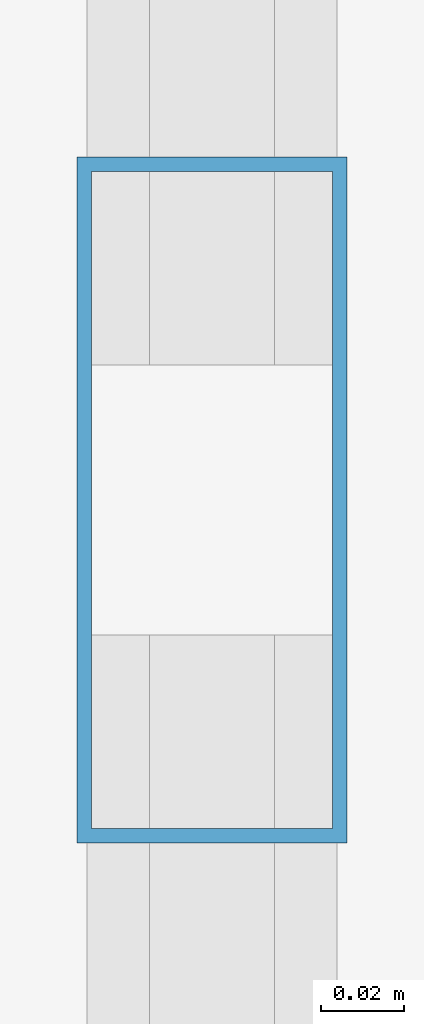
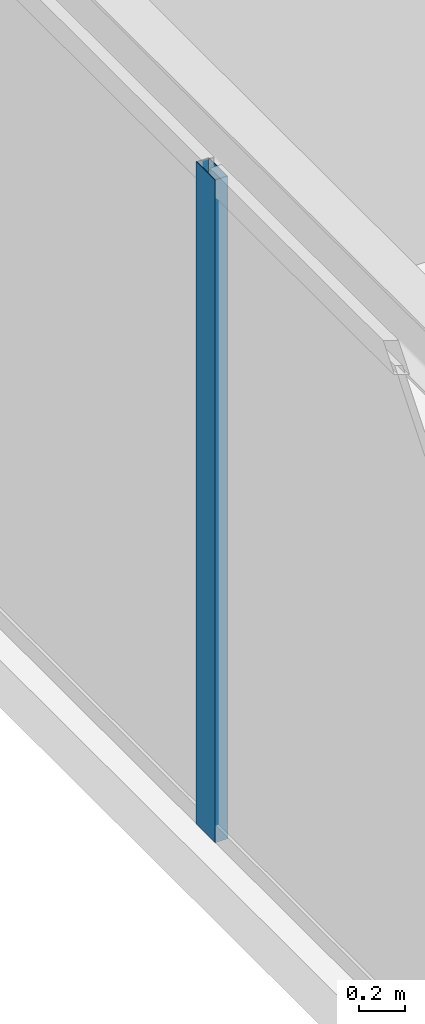
# One storey, part 9 of 21: 1 member, 1 element without a shape of its own.
"""IFC4 building model written with IfcOpenShell, lengths in metres."""

from ifc_helpers import new_model, si_unit, direction, frame, origin, origin_2d, place, context, subcontext, project, spatial, hollow_rectangle, extrude, source, transform, mapped, material, layer, layer_set, material_profile, profile_set, type_object, type_shapes, element, aggregate, save


model = new_model("IFC4")

# Units and contexts
model_context = context("Model", 3, precision=1e-05, world=origin(), true_north=direction((0.0, 1.0)))
body_context = subcontext(model_context, "Body", "Model", "MODEL_VIEW")
ifc_project = project(units=[si_unit("LENGTHUNIT", "METRE"), si_unit("AREAUNIT", "SQUARE_METRE"), si_unit("VOLUMEUNIT", "CUBIC_METRE"), si_unit("PLANEANGLEUNIT", "RADIAN"), si_unit("MASSUNIT", "GRAM", prefix="KILO")], contexts=[model_context])

# Site, building, storey
site_placement = place(None, origin())
site = spatial("IfcSite", under=ifc_project, at=site_placement, CompositionType="ELEMENT")
building_placement = place(site_placement, origin())
building = spatial("IfcBuilding", under=site, at=building_placement, Name="Varnel Quay Broadcast Tower", CompositionType="ELEMENT")
storey_placement = place(building_placement, frame((0.0, 0.0, 296.39990234375)))
storey = spatial("IfcBuildingStorey", under=building, at=storey_placement, Name="L74", CompositionType="ELEMENT", Elevation=296.39990234375)

# Curtain wall, member
ifc_material = material(Name="Anodised Bronze Aluminium 6063-T6", Category="aluminium")
ifc_layer = layer(ifc_material, 0.18994140625, Name="Anodised Bronze Aluminium 6063-T6")
ifc_layer_set = layer_set([ifc_layer], Name="Anodised Bronze Aluminium 6063-T6")
curtain_wall_type = type_object("IfcCurtainWallType", Name="CW_UpperTower", PredefinedType="NOTDEFINED", material=ifc_layer_set)
curtain_wall_placement = place(storey_placement, origin())
curtain_wall = element("IfcCurtainWall", 1, at=curtain_wall_placement, inside=storey, type_object=curtain_wall_type, Name="L74 West Unitised Curtain Wall", PredefinedType="NOTDEFINED")
ifc_material_profile = material_profile(ifc_material, hollow_rectangle(XDim=0.06494140625, YDim=0.1650390625, WallThickness=0.00341796875, at=origin_2d()), Name="ALU65X165X3.5")
ifc_profile_set = profile_set([ifc_material_profile], Name="Anodised Bronze Aluminium 6063-T6")
member_type = type_object("IfcMemberType", Name="Mull_CWS-03", PredefinedType="MULLION", material=ifc_profile_set)
shared_shape = source(origin(), body_context, "Body", "SweptSolid", [
    extrude(hollow_rectangle(XDim=0.06494140625, YDim=0.1650390625, WallThickness=0.00341796875, at=origin_2d()), origin(), (0.0, 0.0, 1.0), 3.52001953125),
])
type_shapes(member_type, [shared_shape])
member_placement = place(storey_placement, frame((12.14990234375, 30.0, 0.0), z_axis=(0.0, 0.0, 1.0), x_axis=(-1.0, 0.0, 0.0)))
member = element("IfcMember", 2, at=member_placement, type_object=member_type, Name="CWS-03 mullion 2", PredefinedType="MULLION", context=body_context, shape_type="MappedRepresentation", body=[
    mapped(shared_shape, transform((0.0, 0.0, 0.0), x_axis=(1.0, 0.0, 0.0), y_axis=(0.0, 1.0, 0.0), z_axis=(0.0, 0.0, 1.0), scale=1.0)),
])
aggregate(curtain_wall, [member])

save(model, "model.ifc")
